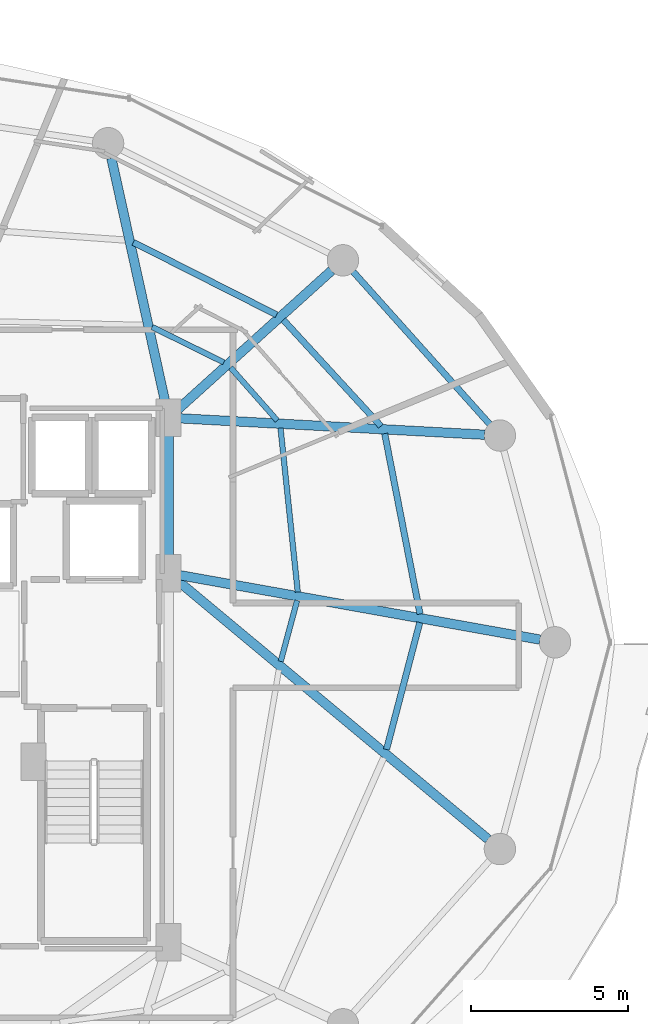
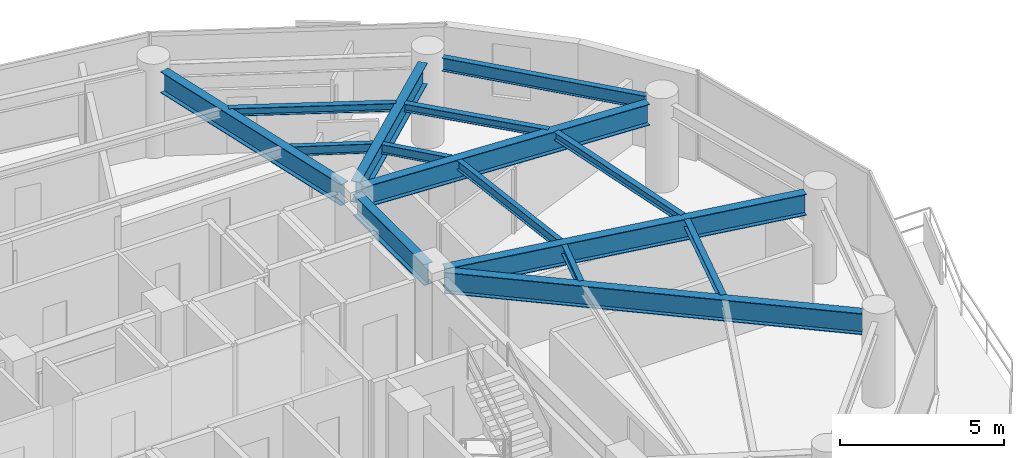
# One storey, part 14 of 29: 15 beams.
"""IFC4 building model written with IfcOpenShell, lengths in metres."""

from ifc_helpers import new_model, si_unit, direction, frame, origin, origin_2d, place, context, subcontext, project, spatial, i_section, extrude, material, material_profile, profile_set, type_object, element, save


model = new_model("IFC4")

# Units and contexts
model_context = context("Model", 3, precision=1e-05, world=origin(), true_north=direction((0.0, 1.0)))
body_context = subcontext(model_context, "Body", "Model", "MODEL_VIEW")
ifc_project = project(units=[si_unit("LENGTHUNIT", "METRE"), si_unit("AREAUNIT", "SQUARE_METRE"), si_unit("VOLUMEUNIT", "CUBIC_METRE"), si_unit("PLANEANGLEUNIT", "RADIAN"), si_unit("MASSUNIT", "GRAM", prefix="KILO")], contexts=[model_context])

# Site, building, storey
site_placement = place(None, origin())
site = spatial("IfcSite", under=ifc_project, at=site_placement, CompositionType="ELEMENT")
building_placement = place(site_placement, origin())
building = spatial("IfcBuilding", under=site, at=building_placement, Name="Vorneva Point Tower", CompositionType="ELEMENT")
storey_placement = place(building_placement, frame((0.0, 0.0, 171.10009765625)))
storey = spatial("IfcBuildingStorey", under=building, at=storey_placement, Name="L46", CompositionType="ELEMENT", Elevation=171.10009765625)

# Beams
ifc_material = material(Name="Steel S355", Category="steel")
ifc_material_profile_1 = material_profile(ifc_material, i_section(OverallWidth=0.300048828125, OverallDepth=0.7880859375, WebThickness=0.014404296875, FlangeThickness=0.02197265625, at=origin_2d()), Name="80Sh1")
ifc_profile_set_1 = profile_set([ifc_material_profile_1], Name="Steel S355")
beam_type_1 = type_object("IfcBeamType", Name="BM-GRD-80Sh1", PredefinedType="USERDEFINED", material=ifc_profile_set_1)
beam_1_placement = place(storey_placement, frame((60.569580078125, 26.0859375, 2.805908203125), z_axis=(-0.984378132756, 0.176067293249, 0.0), x_axis=(-0.176067293249, -0.984378132756, 0.0)))
element("IfcBeam", 1, at=beam_1_placement, inside=storey, type_object=beam_type_1, Name="L46 Radial Primary Girder 01", ObjectType="GIRDER", PredefinedType="USERDEFINED", context=body_context, shape_type="SweptSolid", body=[
    extrude(i_section(OverallWidth=0.300048828125, OverallDepth=0.7880859375, WebThickness=0.014404296875, FlangeThickness=0.02197265625, at=origin_2d()), origin(), (0.0, 0.0, 1.0), 11.667236328125),
])
beam_2_placement = place(storey_placement, frame((58.80810546875, 32.6083984375, 2.805908203125), z_axis=(-0.998554051908, 0.053756910424, 0.0), x_axis=(-0.053756910424, -0.998554051908, 0.0)))
element("IfcBeam", 2, at=beam_2_placement, inside=storey, type_object=beam_type_1, Name="L46 Radial Primary Girder 02", ObjectType="GIRDER", PredefinedType="USERDEFINED", context=body_context, shape_type="SweptSolid", body=[
    extrude(i_section(OverallWidth=0.300048828125, OverallDepth=0.7880859375, WebThickness=0.014404296875, FlangeThickness=0.02197265625, at=origin_2d()), origin(), (0.0, 0.0, 1.0), 9.732666015625),
])
beam_3_placement = place(storey_placement, frame((53.936767578125, 37.835205078125, 2.805908203125), z_axis=(-0.742084379637, -0.670306477292, 0.0), x_axis=(0.670306477292, -0.742084379637, 0.0)))
element("IfcBeam", 3, at=beam_3_placement, inside=storey, type_object=beam_type_1, Name="L46 Radial Primary Girder 03", ObjectType="GIRDER", PredefinedType="USERDEFINED", context=body_context, shape_type="SweptSolid", body=[
    extrude(i_section(OverallWidth=0.300048828125, OverallDepth=0.7880859375, WebThickness=0.014404296875, FlangeThickness=0.02197265625, at=origin_2d()), origin(), (0.0, 0.0, 1.0), 6.649658203125),
])
beam_4_placement = place(storey_placement, frame((46.926025390625, 41.414306640625, 2.805908203125), z_axis=(0.215520500859, -0.976499315775, 0.0), x_axis=(0.976499315775, 0.215520500859, 0.0)))
element("IfcBeam", 4, at=beam_4_placement, inside=storey, type_object=beam_type_1, Name="L46 Radial Primary Girder 04", ObjectType="GIRDER", PredefinedType="USERDEFINED", context=body_context, shape_type="SweptSolid", body=[
    extrude(i_section(OverallWidth=0.300048828125, OverallDepth=0.7880859375, WebThickness=0.014404296875, FlangeThickness=0.02197265625, at=origin_2d()), origin(), (0.0, 0.0, 1.0), 8.123291015625),
])
beam_5_placement = place(storey_placement, frame((58.92041015625, 19.72998046875, 2.805908203125), z_axis=(-0.76841987547, 0.639946009428, 0.0), x_axis=(-0.639946009428, -0.76841987547, 0.0)))
element("IfcBeam", 5, at=beam_5_placement, inside=storey, type_object=beam_type_1, Name="L46 Radial Primary Girder 16", ObjectType="GIRDER", PredefinedType="USERDEFINED", context=body_context, shape_type="SweptSolid", body=[
    extrude(i_section(OverallWidth=0.300048828125, OverallDepth=0.7880859375, WebThickness=0.014404296875, FlangeThickness=0.02197265625, at=origin_2d()), origin(), (0.0, 0.0, 1.0), 12.8955078125),
])
beam_6_placement = place(storey_placement, frame((48.75, 28.52001953125, 2.805908203125), z_axis=(0.0, 1.0, 0.0), x_axis=(-1.0, 0.0, 0.0)))
element("IfcBeam", 6, at=beam_6_placement, inside=storey, type_object=beam_type_1, Name="L46 Core Tie Girder CT4", ObjectType="GIRDER", PredefinedType="USERDEFINED", context=body_context, shape_type="SweptSolid", body=[
    extrude(i_section(OverallWidth=0.300048828125, OverallDepth=0.7880859375, WebThickness=0.014404296875, FlangeThickness=0.02197265625, at=origin_2d()), origin(), (0.0, 0.0, 1.0), 4.31005859375),
])
ifc_material_profile_2 = material_profile(ifc_material, i_section(OverallWidth=0.199951171875, OverallDepth=0.291015625, WebThickness=0.008056640625, FlangeThickness=0.010986328125, at=origin_2d()), Name="30Sh1")
ifc_profile_set_2 = profile_set([ifc_material_profile_2], Name="Steel S355")
beam_type_2 = type_object("IfcBeamType", Name="BM-SEC-30Sh1", PredefinedType="BEAM", material=ifc_profile_set_2)
beam_7_placement = place(storey_placement, frame((56.753173828125, 26.899169921875, 3.054443359375), z_axis=(-0.192242055479, 0.9813475389, 0.0), x_axis=(-0.9813475389, -0.192242055479, 0.0)))
element("IfcBeam", 7, at=beam_7_placement, inside=storey, type_object=beam_type_2, Name="L46 Secondary Floor Beam 1.01", PredefinedType="BEAM", context=body_context, shape_type="SweptSolid", body=[
    extrude(i_section(OverallWidth=0.199951171875, OverallDepth=0.291015625, WebThickness=0.008056640625, FlangeThickness=0.010986328125, at=origin_2d()), origin(), (0.0, 0.0, 1.0), 5.855712890625),
])
beam_8_placement = place(storey_placement, frame((55.507568359375, 32.8828125, 3.054443359375), z_axis=(-0.676639317831, 0.736314629465, 0.0), x_axis=(-0.736314629465, -0.676639317831, 0.0)))
element("IfcBeam", 8, at=beam_8_placement, inside=storey, type_object=beam_type_2, Name="L46 Secondary Floor Beam 1.02", PredefinedType="BEAM", context=body_context, shape_type="SweptSolid", body=[
    extrude(i_section(OverallWidth=0.199951171875, OverallDepth=0.291015625, WebThickness=0.008056640625, FlangeThickness=0.010986328125, at=origin_2d()), origin(), (0.0, 0.0, 1.0), 4.59033203125),
])
beam_9_placement = place(storey_placement, frame((52.185302734375, 36.426513671875, 3.054443359375), z_axis=(-0.892189333363, 0.451661591717, 0.0), x_axis=(-0.451661591717, -0.892189333363, 0.0)))
element("IfcBeam", 9, at=beam_9_placement, inside=storey, type_object=beam_type_2, Name="L46 Secondary Floor Beam 1.03", PredefinedType="BEAM", context=body_context, shape_type="SweptSolid", body=[
    extrude(i_section(OverallWidth=0.199951171875, OverallDepth=0.291015625, WebThickness=0.008056640625, FlangeThickness=0.010986328125, at=origin_2d()), origin(), (0.0, 0.0, 1.0), 5.109130859375),
])
beam_10_placement = place(storey_placement, frame((55.685302734375, 22.5869140625, 3.054443359375), z_axis=(0.253432269417, 0.967353133462, 0.0), x_axis=(-0.967353133462, 0.253432269417, 0.0)))
element("IfcBeam", 10, at=beam_10_placement, inside=storey, type_object=beam_type_2, Name="L46 Secondary Floor Beam 1.16", PredefinedType="BEAM", context=body_context, shape_type="SweptSolid", body=[
    extrude(i_section(OverallWidth=0.199951171875, OverallDepth=0.291015625, WebThickness=0.008056640625, FlangeThickness=0.010986328125, at=origin_2d()), origin(), (0.0, 0.0, 1.0), 4.179931640625),
])
ifc_material_profile_3 = material_profile(ifc_material, i_section(OverallWidth=0.174072265625, OverallDepth=0.345947265625, WebThickness=0.006103515625, FlangeThickness=0.009033203125, at=origin_2d()), Name="35B1")
ifc_profile_set_3 = profile_set([ifc_material_profile_3], Name="Steel S355")
beam_type_3 = type_object("IfcBeamType", Name="BM-SEC-35B1", PredefinedType="BEAM", material=ifc_profile_set_3)
beam_11_placement = place(storey_placement, frame((52.8603515625, 27.599609375, 3.02685546875), z_axis=(-0.104612176701, 0.99451309317, 0.0), x_axis=(-0.99451309317, -0.104612176701, 0.0)))
element("IfcBeam", 11, at=beam_11_placement, inside=storey, type_object=beam_type_3, Name="L46 Secondary Floor Beam 2.01", PredefinedType="BEAM", context=body_context, shape_type="SweptSolid", body=[
    extrude(i_section(OverallWidth=0.174072265625, OverallDepth=0.345947265625, WebThickness=0.006103515625, FlangeThickness=0.009033203125, at=origin_2d()), origin(), (0.0, 0.0, 1.0), 5.2509765625),
])
beam_12_placement = place(storey_placement, frame((52.205322265625, 33.0625, 3.02685546875), z_axis=(-0.661250814478, 0.750164888776, 0.0), x_axis=(-0.750164888776, -0.661250814478, 0.0)))
element("IfcBeam", 12, at=beam_12_placement, inside=storey, type_object=beam_type_3, Name="L46 Secondary Floor Beam 2.02", PredefinedType="BEAM", context=body_context, shape_type="SweptSolid", body=[
    extrude(i_section(OverallWidth=0.174072265625, OverallDepth=0.345947265625, WebThickness=0.006103515625, FlangeThickness=0.009033203125, at=origin_2d()), origin(), (0.0, 0.0, 1.0), 2.243408203125),
])
beam_13_placement = place(storey_placement, frame((50.5068359375, 34.909912109375, 3.02685546875), z_axis=(-0.896525372152, 0.442992389425, 0.0), x_axis=(-0.442992389425, -0.896525372152, 0.0)))
element("IfcBeam", 13, at=beam_13_placement, inside=storey, type_object=beam_type_3, Name="L46 Secondary Floor Beam 2.03", PredefinedType="BEAM", context=body_context, shape_type="SweptSolid", body=[
    extrude(i_section(OverallWidth=0.174072265625, OverallDepth=0.345947265625, WebThickness=0.006103515625, FlangeThickness=0.009033203125, at=origin_2d()), origin(), (0.0, 0.0, 1.0), 2.5478515625),
])
beam_14_placement = place(storey_placement, frame((52.317138671875, 25.392333984375, 3.02685546875), z_axis=(0.260108786392, 0.965579317944, 0.0), x_axis=(-0.965579317944, 0.260108786392, 0.0)))
element("IfcBeam", 14, at=beam_14_placement, inside=storey, type_object=beam_type_3, Name="L46 Secondary Floor Beam 2.16", PredefinedType="BEAM", context=body_context, shape_type="SweptSolid", body=[
    extrude(i_section(OverallWidth=0.174072265625, OverallDepth=0.345947265625, WebThickness=0.006103515625, FlangeThickness=0.009033203125, at=origin_2d()), origin(), (0.0, 0.0, 1.0), 2.005859375),
])
ifc_material_profile_4 = material_profile(ifc_material, i_section(OverallWidth=0.199951171875, OverallDepth=0.491943359375, WebThickness=0.0087890625, FlangeThickness=0.011962890625, at=origin_2d()), Name="50B1")
ifc_profile_set_4 = profile_set([ifc_material_profile_4], Name="Steel S355")
beam_type_4 = type_object("IfcBeamType", Name="BM-SPN-50B1", PredefinedType="SPANDREL", material=ifc_profile_set_4)
beam_15_placement = place(storey_placement, frame((58.971923828125, 32.943603515625, 2.953857421875), z_axis=(-0.667111118975, 0.74495822362, 0.0), x_axis=(-0.74495822362, -0.667111118975, 0.0)))
element("IfcBeam", 15, at=beam_15_placement, inside=storey, type_object=beam_type_4, Name="L46 Perimeter Spandrel Ring Beam 02", PredefinedType="SPANDREL", context=body_context, shape_type="SweptSolid", body=[
    extrude(i_section(OverallWidth=0.199951171875, OverallDepth=0.491943359375, WebThickness=0.0087890625, FlangeThickness=0.011962890625, at=origin_2d()), origin(), (0.0, 0.0, 1.0), 6.52001953125),
])

save(model, "model.ifc")
